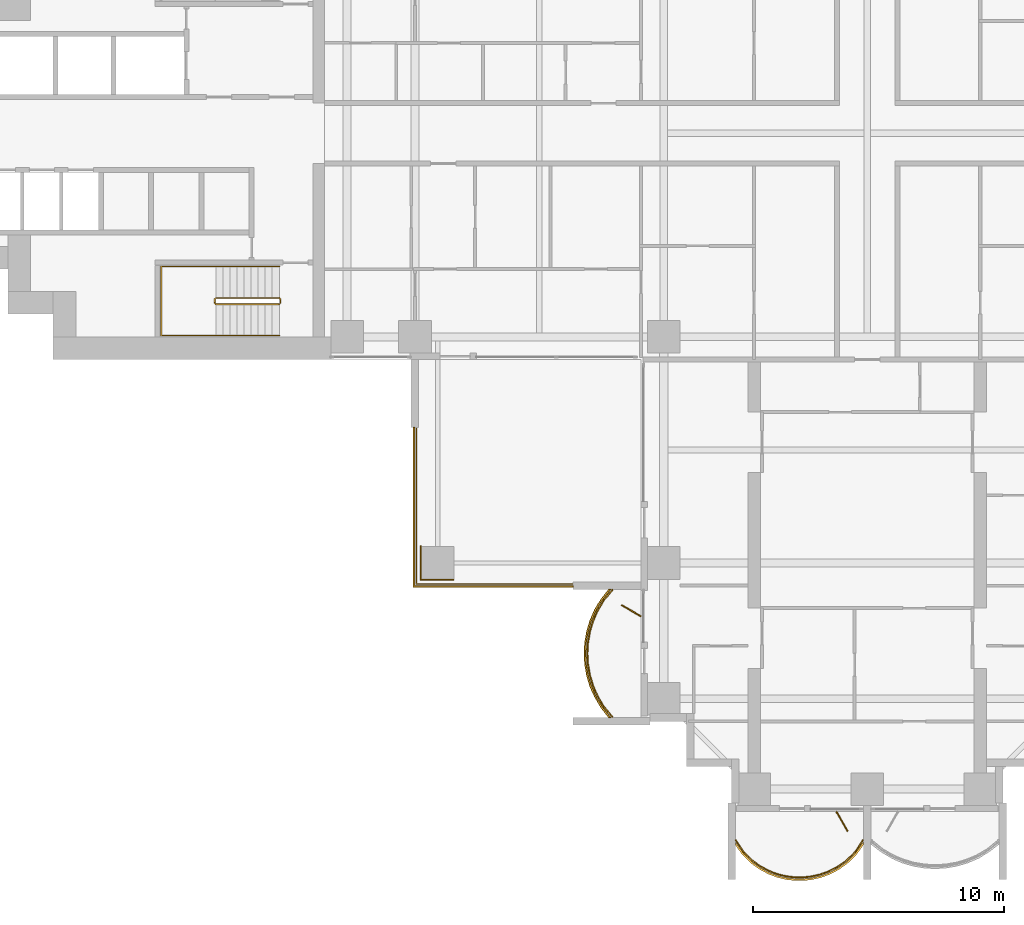
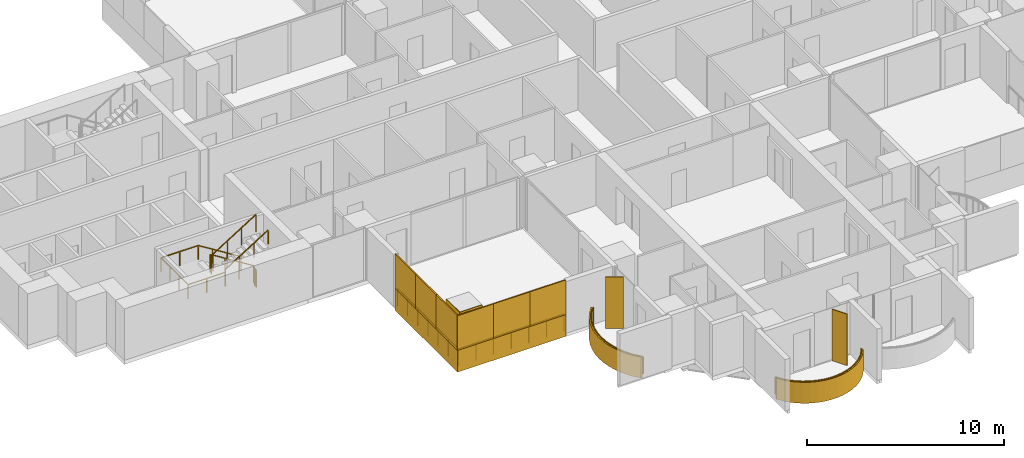
# One storey, part 17 of 21: 11 coverings, 5 railings, 2 shading devices.
"""IFC4 building model written with IfcOpenShell, lengths in metres."""

from ifc_helpers import new_model, si_unit, direction, frame, origin, origin_2d, place, context, subcontext, project, spatial, polyline, rectangle, outline, extrude, material, layer, layer_set, type_object, element, save


model = new_model("IFC4")

# Units and contexts
model_context = context("Model", 3, precision=1e-05, world=origin(), true_north=direction((0.0, 1.0)))
body_context = subcontext(model_context, "Body", "Model", "MODEL_VIEW")
ifc_project = project(units=[si_unit("LENGTHUNIT", "METRE"), si_unit("AREAUNIT", "SQUARE_METRE"), si_unit("VOLUMEUNIT", "CUBIC_METRE"), si_unit("PLANEANGLEUNIT", "RADIAN"), si_unit("MASSUNIT", "GRAM", prefix="KILO")], contexts=[model_context])

# Site, building, storey
site_placement = place(None, origin())
site = spatial("IfcSite", under=ifc_project, at=site_placement, CompositionType="ELEMENT")
building_placement = place(site_placement, origin())
building = spatial("IfcBuilding", under=site, at=building_placement, Name="Perihelion Cross Residences", CompositionType="ELEMENT")
storey_placement = place(building_placement, frame((0.0, 0.0, 89.0)))
storey = spatial("IfcBuildingStorey", under=building, at=storey_placement, Name="L20", CompositionType="ELEMENT", Elevation=89.0)

# Coverings
ifc_material_1 = material(Name="Bronze anodised aluminium", Category="aluminium")
ifc_layer_1 = layer(ifc_material_1, 0.070068359375)
ifc_layer_set_1 = layer_set([ifc_layer_1], Name="Balcony fascia 1300")
covering_type_1 = type_object("IfcCoveringType", Name="Balcony fascia 1300", PredefinedType="CLADDING", material=ifc_layer_set_1)
covering_1_placement = place(storey_placement, frame((0.0, 0.0, -0.199951171875)))
element("IfcCovering", 1, at=covering_1_placement, inside=storey, type_object=covering_type_1, Name="Fascia BF1 L20 south side west bay 2", PredefinedType="CLADDING", context=body_context, shape_type="SweptSolid", body=[
    extrude(outline(polyline([(-10.59765625, -18.53515625), (-10.85498046875, -18.96826171875), (-11.04248046875, -19.401123046875), (-11.170654296875, -19.833984375), (-11.245361328125, -20.26708984375), (-11.27001953125, -20.699951171875), (-11.245361328125, -21.133056640625), (-11.170654296875, -21.56591796875), (-11.04248046875, -21.998779296875), (-10.85498046875, -22.431884765625), (-10.59765625, -22.86474609375), (-10.28955078125, -23.25), (-10.199951171875, -23.25), (-10.5400390625, -22.824951171875), (-10.792724609375, -22.39990234375), (-10.9765625, -21.97509765625), (-11.1025390625, -21.550048828125), (-11.17578125, -21.125), (-11.199951171875, -20.699951171875), (-11.17578125, -20.27490234375), (-11.1025390625, -19.85009765625), (-10.9765625, -19.425048828125), (-10.792724609375, -19.0), (-10.5400390625, -18.574951171875), (-10.199951171875, -18.14990234375), (-10.28955078125, -18.14990234375), (-10.59765625, -18.53515625)])), origin(), (0.0, 0.0, 1.0), 1.300048828125),
])
covering_2_placement = place(storey_placement, frame((0.0, 0.0, -0.199951171875)))
element("IfcCovering", 2, at=covering_2_placement, inside=storey, type_object=covering_type_1, Name="Fascia BF1 L20 south tip south bay 1", PredefinedType="CLADDING", context=body_context, shape_type="SweptSolid", body=[
    extrude(outline(polyline([(-4.963134765625, -28.722412109375), (-4.61474609375, -29.060791015625), (-4.2666015625, -29.308837890625), (-3.91845703125, -29.4912109375), (-3.5703125, -29.620361328125), (-3.22216796875, -29.703369140625), (-2.8740234375, -29.743896484375), (-2.52587890625, -29.743896484375), (-2.177734375, -29.703369140625), (-1.82958984375, -29.620361328125), (-1.4814453125, -29.4912109375), (-1.13330078125, -29.308837890625), (-0.78515625, -29.060791015625), (-0.43701171875, -28.722412109375), (-0.14990234375, -28.320556640625), (-0.14990234375, -28.199951171875), (-0.489990234375, -28.6767578125), (-0.830078125, -29.007080078125), (-1.169921875, -29.2490234375), (-1.510009765625, -29.42724609375), (-1.85009765625, -29.553466796875), (-2.18994140625, -29.63427734375), (-2.530029296875, -29.674072265625), (-2.8701171875, -29.674072265625), (-3.2099609375, -29.63427734375), (-3.550048828125, -29.553466796875), (-3.889892578125, -29.42724609375), (-4.22998046875, -29.2490234375), (-4.570068359375, -29.007080078125), (-4.909912109375, -28.6767578125), (-5.25, -28.199951171875), (-5.25, -28.320556640625), (-4.963134765625, -28.722412109375)])), origin(), (0.0, 0.0, 1.0), 1.300048828125),
])

# Railings
ifc_material_2 = material(Name="Bronze anodised aluminium", Category="aluminium")
railing_type_1 = type_object("IfcRailingType", Name="Balcony guard 1100", PredefinedType="GUARDRAIL", material=ifc_material_2)
railing_1_placement = place(storey_placement, frame((-10.139892578125, -18.175048828125, 0.0)))
element("IfcRailing", 3, at=railing_1_placement, inside=storey, type_object=railing_type_1, Name="Guard GU1 L20 south side west bay 2 balcony", PredefinedType="GUARDRAIL", context=body_context, shape_type="SweptSolid", body=[
    extrude(rectangle(XDim=0.048095703125, YDim=0.048095703125, at=origin_2d()), frame((0.0, 0.0, 1.076171875), z_axis=(-0.647837396648, -0.761778647315, 0.0), x_axis=(0.761778647315, -0.647837396648, 0.0)), (0.0, 0.0, 1.0), 0.52490234375),
    extrude(rectangle(XDim=0.048095703125, YDim=0.048095703125, at=origin_2d()), frame((-0.340087890625, -0.39990234375, 1.076171875), z_axis=(-0.511006381501, -0.859576918062, 0.0), x_axis=(0.859576918062, -0.511006381501, 0.0)), (0.0, 0.0, 1.0), 0.494384765625),
    extrude(rectangle(XDim=0.048095703125, YDim=0.048095703125, at=origin_2d()), frame((-0.5927734375, -0.824951171875, 1.076171875), z_axis=(-0.397415137459, -0.917638931453, 0.0), x_axis=(0.917638931453, -0.397415137459, 0.0)), (0.0, 0.0, 1.0), 0.463134765625),
    extrude(rectangle(XDim=0.048095703125, YDim=0.048095703125, at=origin_2d()), frame((-0.77685546875, -1.25, 1.076171875), z_axis=(-0.283656975924, -0.958925815697, 0.0), x_axis=(0.958925815697, -0.283656975924, 0.0)), (0.0, 0.0, 1.0), 0.443359375),
    extrude(rectangle(XDim=0.048095703125, YDim=0.048095703125, at=origin_2d()), frame((-0.902587890625, -1.675048828125, 1.076171875), z_axis=(-0.170456843651, -0.985365142702, 0.0), x_axis=(0.985365142702, -0.170456843651, 0.0)), (0.0, 0.0, 1.0), 0.43115234375),
    extrude(rectangle(XDim=0.048095703125, YDim=0.048095703125, at=origin_2d()), frame((-0.97607421875, -2.099853515625, 1.076171875), z_axis=(-0.056200523353, -0.9984195016, 0.0), x_axis=(0.9984195016, -0.056200523353, 0.0)), (0.0, 0.0, 1.0), 0.42578125),
    extrude(rectangle(XDim=0.048095703125, YDim=0.048095703125, at=origin_2d()), frame((-1.0, -2.52490234375, 1.076171875), z_axis=(0.056200523353, -0.9984195016, 0.0), x_axis=(0.9984195016, 0.056200523353, 0.0)), (0.0, 0.0, 1.0), 0.42578125),
    extrude(rectangle(XDim=0.048095703125, YDim=0.048095703125, at=origin_2d()), frame((-0.97607421875, -2.949951171875, 1.076171875), z_axis=(0.17036177859, -0.985381583142, 0.0), x_axis=(0.985381583142, 0.17036177859, 0.0)), (0.0, 0.0, 1.0), 0.431396484375),
    extrude(rectangle(XDim=0.048095703125, YDim=0.048095703125, at=origin_2d()), frame((-0.902587890625, -3.375, 1.076171875), z_axis=(0.283656975924, -0.958925815697, 0.0), x_axis=(0.958925815697, 0.283656975924, 0.0)), (0.0, 0.0, 1.0), 0.443359375),
    extrude(rectangle(XDim=0.048095703125, YDim=0.048095703125, at=origin_2d()), frame((-0.77685546875, -3.800048828125, 1.076171875), z_axis=(0.397607437634, -0.91755562531, 0.0), x_axis=(0.91755562531, 0.397607437634, 0.0)), (0.0, 0.0, 1.0), 0.462890625),
    extrude(rectangle(XDim=0.048095703125, YDim=0.048095703125, at=origin_2d()), frame((-0.5927734375, -4.224853515625, 1.076171875), z_axis=(0.511006381501, -0.859576918062, 0.0), x_axis=(0.859576918062, 0.511006381501, 0.0)), (0.0, 0.0, 1.0), 0.494384765625),
    extrude(rectangle(XDim=0.048095703125, YDim=0.048095703125, at=origin_2d()), frame((-0.340087890625, -4.64990234375, 1.076171875), z_axis=(0.647607934281, -0.761973728849, 0.0), x_axis=(0.761973728849, 0.647607934281, 0.0)), (0.0, 0.0, 1.0), 0.525146484375),
    extrude(rectangle(XDim=0.0419921875, YDim=0.0419921875, at=origin_2d()), origin(), (0.0, 0.0, 1.0), 1.052001953125),
    extrude(rectangle(XDim=0.0419921875, YDim=0.0419921875, at=origin_2d()), frame((-0.340087890625, -0.39990234375, 0.0)), (0.0, 0.0, 1.0), 1.052001953125),
    extrude(rectangle(XDim=0.0419921875, YDim=0.0419921875, at=origin_2d()), frame((-0.5927734375, -0.824951171875, 0.0)), (0.0, 0.0, 1.0), 1.052001953125),
    extrude(rectangle(XDim=0.0419921875, YDim=0.0419921875, at=origin_2d()), frame((-0.77685546875, -1.25, 0.0)), (0.0, 0.0, 1.0), 1.052001953125),
    extrude(rectangle(XDim=0.0419921875, YDim=0.0419921875, at=origin_2d()), frame((-0.902587890625, -1.675048828125, 0.0)), (0.0, 0.0, 1.0), 1.052001953125),
    extrude(rectangle(XDim=0.0419921875, YDim=0.0419921875, at=origin_2d()), frame((-0.97607421875, -2.099853515625, 0.0)), (0.0, 0.0, 1.0), 1.052001953125),
    extrude(rectangle(XDim=0.0419921875, YDim=0.0419921875, at=origin_2d()), frame((-1.0, -2.52490234375, 0.0)), (0.0, 0.0, 1.0), 1.052001953125),
    extrude(rectangle(XDim=0.0419921875, YDim=0.0419921875, at=origin_2d()), frame((-0.97607421875, -2.949951171875, 0.0)), (0.0, 0.0, 1.0), 1.052001953125),
    extrude(rectangle(XDim=0.0419921875, YDim=0.0419921875, at=origin_2d()), frame((-0.902587890625, -3.375, 0.0)), (0.0, 0.0, 1.0), 1.052001953125),
    extrude(rectangle(XDim=0.0419921875, YDim=0.0419921875, at=origin_2d()), frame((-0.77685546875, -3.800048828125, 0.0)), (0.0, 0.0, 1.0), 1.052001953125),
    extrude(rectangle(XDim=0.0419921875, YDim=0.0419921875, at=origin_2d()), frame((-0.5927734375, -4.224853515625, 0.0)), (0.0, 0.0, 1.0), 1.052001953125),
    extrude(rectangle(XDim=0.0419921875, YDim=0.0419921875, at=origin_2d()), frame((-0.340087890625, -4.64990234375, 0.0)), (0.0, 0.0, 1.0), 1.052001953125),
    extrude(rectangle(XDim=0.0419921875, YDim=0.0419921875, at=origin_2d()), frame((0.0, -5.050048828125, 0.0)), (0.0, 0.0, 1.0), 1.052001953125),
])
railing_2_placement = place(storey_placement, frame((-5.22509765625, -28.139892578125, 0.0)))
element("IfcRailing", 4, at=railing_2_placement, inside=storey, type_object=railing_type_1, Name="Guard GU1 L20 south tip south bay 1 balcony", PredefinedType="GUARDRAIL", context=body_context, shape_type="SweptSolid", body=[
    extrude(rectangle(XDim=0.048095703125, YDim=0.048095703125, at=origin_2d()), frame((0.0, 0.0, 1.076171875), z_axis=(0.55144309028, -0.834212513801, 0.0), x_axis=(0.834212513801, 0.55144309028, 0.0)), (0.0, 0.0, 1.0), 0.571533203125),
    extrude(rectangle(XDim=0.048095703125, YDim=0.048095703125, at=origin_2d()), frame((0.315185546875, -0.476806640625, 1.076171875), z_axis=(0.717080736691, -0.696990112603, 0.0), x_axis=(0.696990112603, 0.717080736691, 0.0)), (0.0, 0.0, 1.0), 0.473876953125),
    extrude(rectangle(XDim=0.048095703125, YDim=0.048095703125, at=origin_2d()), frame((0.655029296875, -0.80712890625, 1.076171875), z_axis=(0.814562360662, -0.580075995532, 0.0), x_axis=(0.580075995532, 0.814562360662, 0.0)), (0.0, 0.0, 1.0), 0.41748046875),
    extrude(rectangle(XDim=0.048095703125, YDim=0.048095703125, at=origin_2d()), frame((0.9951171875, -1.04931640625, 1.076171875), z_axis=(0.886005761733, -0.463674228502, 0.0), x_axis=(0.463674228502, 0.886005761733, 0.0)), (0.0, 0.0, 1.0), 0.3837890625),
    extrude(rectangle(XDim=0.048095703125, YDim=0.048095703125, at=origin_2d()), frame((1.335205078125, -1.227294921875, 1.076171875), z_axis=(0.937431552165, -0.348169621027, 0.0), x_axis=(0.348169621027, 0.937431552165, 0.0)), (0.0, 0.0, 1.0), 0.362548828125),
    extrude(rectangle(XDim=0.048095703125, YDim=0.048095703125, at=origin_2d()), frame((1.675048828125, -1.353515625, 1.076171875), z_axis=(0.972753741142, -0.231840805498, 0.0), x_axis=(0.231840805498, 0.972753741142, 0.0)), (0.0, 0.0, 1.0), 0.349609375),
    extrude(rectangle(XDim=0.048095703125, YDim=0.048095703125, at=origin_2d()), frame((2.01513671875, -1.4345703125, 1.076171875), z_axis=(0.993295952156, -0.11559909788, 0.0), x_axis=(0.11559909788, 0.993295952156, 0.0)), (0.0, 0.0, 1.0), 0.342041015625),
    extrude(rectangle(XDim=0.048095703125, YDim=0.048095703125, at=origin_2d()), frame((2.35498046875, -1.47412109375, 1.076171875), z_axis=(1.0, 0.0, 0.0), x_axis=(0.0, 1.0, 0.0)), (0.0, 0.0, 1.0), 0.340087890625),
    extrude(rectangle(XDim=0.048095703125, YDim=0.048095703125, at=origin_2d()), frame((2.695068359375, -1.47412109375, 1.076171875), z_axis=(0.993305477634, 0.11551721994, 0.0), x_axis=(-0.11551721994, 0.993305477634, 0.0)), (0.0, 0.0, 1.0), 0.34228515625),
    extrude(rectangle(XDim=0.048095703125, YDim=0.048095703125, at=origin_2d()), frame((3.03515625, -1.4345703125, 1.076171875), z_axis=(0.972716168284, 0.231998396458, 0.0), x_axis=(-0.231998396458, 0.972716168284, 0.0)), (0.0, 0.0, 1.0), 0.349365234375),
    extrude(rectangle(XDim=0.048095703125, YDim=0.048095703125, at=origin_2d()), frame((3.375, -1.353515625, 1.076171875), z_axis=(0.93751311099, 0.347949948587, 0.0), x_axis=(-0.347949948587, 0.93751311099, 0.0)), (0.0, 0.0, 1.0), 0.36279296875),
    extrude(rectangle(XDim=0.048095703125, YDim=0.048095703125, at=origin_2d()), frame((3.715087890625, -1.227294921875, 1.076171875), z_axis=(0.886005761733, 0.463674228502, 0.0), x_axis=(-0.463674228502, 0.886005761733, 0.0)), (0.0, 0.0, 1.0), 0.3837890625),
    extrude(rectangle(XDim=0.048095703125, YDim=0.048095703125, at=origin_2d()), frame((4.05517578125, -1.04931640625, 1.076171875), z_axis=(0.814365457194, 0.580352394782, 0.0), x_axis=(-0.580352394782, 0.814365457194, 0.0)), (0.0, 0.0, 1.0), 0.417236328125),
    extrude(rectangle(XDim=0.048095703125, YDim=0.048095703125, at=origin_2d()), frame((4.39501953125, -0.80712890625, 1.076171875), z_axis=(0.717330852669, 0.69673269466, 0.0), x_axis=(-0.69673269466, 0.717330852669, 0.0)), (0.0, 0.0, 1.0), 0.47412109375),
    extrude(rectangle(XDim=0.048095703125, YDim=0.048095703125, at=origin_2d()), frame((4.735107421875, -0.476806640625, 1.076171875), z_axis=(0.551145731138, 0.834409002258, 0.0), x_axis=(-0.834409002258, 0.551145731138, 0.0)), (0.0, 0.0, 1.0), 0.571533203125),
    extrude(rectangle(XDim=0.0419921875, YDim=0.0419921875, at=origin_2d()), origin(), (0.0, 0.0, 1.0), 1.052001953125),
    extrude(rectangle(XDim=0.0419921875, YDim=0.0419921875, at=origin_2d()), frame((0.315185546875, -0.476806640625, 0.0)), (0.0, 0.0, 1.0), 1.052001953125),
    extrude(rectangle(XDim=0.0419921875, YDim=0.0419921875, at=origin_2d()), frame((0.655029296875, -0.80712890625, 0.0)), (0.0, 0.0, 1.0), 1.052001953125),
    extrude(rectangle(XDim=0.0419921875, YDim=0.0419921875, at=origin_2d()), frame((0.9951171875, -1.04931640625, 0.0)), (0.0, 0.0, 1.0), 1.052001953125),
    extrude(rectangle(XDim=0.0419921875, YDim=0.0419921875, at=origin_2d()), frame((1.335205078125, -1.227294921875, 0.0)), (0.0, 0.0, 1.0), 1.052001953125),
    extrude(rectangle(XDim=0.0419921875, YDim=0.0419921875, at=origin_2d()), frame((1.675048828125, -1.353515625, 0.0)), (0.0, 0.0, 1.0), 1.052001953125),
    extrude(rectangle(XDim=0.0419921875, YDim=0.0419921875, at=origin_2d()), frame((2.01513671875, -1.4345703125, 0.0)), (0.0, 0.0, 1.0), 1.052001953125),
    extrude(rectangle(XDim=0.0419921875, YDim=0.0419921875, at=origin_2d()), frame((2.35498046875, -1.47412109375, 0.0)), (0.0, 0.0, 1.0), 1.052001953125),
    extrude(rectangle(XDim=0.0419921875, YDim=0.0419921875, at=origin_2d()), frame((2.695068359375, -1.47412109375, 0.0)), (0.0, 0.0, 1.0), 1.052001953125),
    extrude(rectangle(XDim=0.0419921875, YDim=0.0419921875, at=origin_2d()), frame((3.03515625, -1.4345703125, 0.0)), (0.0, 0.0, 1.0), 1.052001953125),
    extrude(rectangle(XDim=0.0419921875, YDim=0.0419921875, at=origin_2d()), frame((3.375, -1.353515625, 0.0)), (0.0, 0.0, 1.0), 1.052001953125),
    extrude(rectangle(XDim=0.0419921875, YDim=0.0419921875, at=origin_2d()), frame((3.715087890625, -1.227294921875, 0.0)), (0.0, 0.0, 1.0), 1.052001953125),
    extrude(rectangle(XDim=0.0419921875, YDim=0.0419921875, at=origin_2d()), frame((4.05517578125, -1.04931640625, 0.0)), (0.0, 0.0, 1.0), 1.052001953125),
    extrude(rectangle(XDim=0.0419921875, YDim=0.0419921875, at=origin_2d()), frame((4.39501953125, -0.80712890625, 0.0)), (0.0, 0.0, 1.0), 1.052001953125),
    extrude(rectangle(XDim=0.0419921875, YDim=0.0419921875, at=origin_2d()), frame((4.735107421875, -0.476806640625, 0.0)), (0.0, 0.0, 1.0), 1.052001953125),
    extrude(rectangle(XDim=0.0419921875, YDim=0.0419921875, at=origin_2d()), frame((5.050048828125, 0.0, 0.0)), (0.0, 0.0, 1.0), 1.052001953125),
])
railing_3_placement = place(storey_placement, frame((-11.739990234375, -17.93994140625, 0.0)))
element("IfcRailing", 5, at=railing_3_placement, inside=storey, type_object=railing_type_1, Name="Guard GU1 L20 pocket south-west 1", PredefinedType="GUARDRAIL", context=body_context, shape_type="SweptSolid", body=[
    extrude(rectangle(XDim=0.048095703125, YDim=0.048095703125, at=origin_2d()), frame((0.0, 0.0, 1.076171875), z_axis=(-1.0, 0.0, 0.0), x_axis=(0.0, -1.0, 0.0)), (0.0, 0.0, 1.0), 6.199951171875),
    extrude(rectangle(XDim=0.048095703125, YDim=0.048095703125, at=origin_2d()), frame((-6.199951171875, 0.0, 1.076171875), z_axis=(0.0, 1.0, 0.0), x_axis=(-1.0, 0.0, 0.0)), (0.0, 0.0, 1.0), 6.199951171875),
    extrude(rectangle(XDim=0.0419921875, YDim=0.0419921875, at=origin_2d()), origin(), (0.0, 0.0, 1.0), 1.052001953125),
    extrude(rectangle(XDim=0.0419921875, YDim=0.0419921875, at=origin_2d()), frame((-1.033203125, 0.0, 0.0)), (0.0, 0.0, 1.0), 1.052001953125),
    extrude(rectangle(XDim=0.0419921875, YDim=0.0419921875, at=origin_2d()), frame((-2.066650390625, 0.0, 0.0)), (0.0, 0.0, 1.0), 1.052001953125),
    extrude(rectangle(XDim=0.0419921875, YDim=0.0419921875, at=origin_2d()), frame((-3.10009765625, 0.0, 0.0)), (0.0, 0.0, 1.0), 1.052001953125),
    extrude(rectangle(XDim=0.0419921875, YDim=0.0419921875, at=origin_2d()), frame((-4.13330078125, 0.0, 0.0)), (0.0, 0.0, 1.0), 1.052001953125),
    extrude(rectangle(XDim=0.0419921875, YDim=0.0419921875, at=origin_2d()), frame((-5.16650390625, 0.0, 0.0)), (0.0, 0.0, 1.0), 1.052001953125),
    extrude(rectangle(XDim=0.0419921875, YDim=0.0419921875, at=origin_2d()), frame((-6.199951171875, 0.0, 0.0)), (0.0, 0.0, 1.0), 1.052001953125),
    extrude(rectangle(XDim=0.0419921875, YDim=0.0419921875, at=origin_2d()), frame((-6.199951171875, 1.033203125, 0.0)), (0.0, 0.0, 1.0), 1.052001953125),
    extrude(rectangle(XDim=0.0419921875, YDim=0.0419921875, at=origin_2d()), frame((-6.199951171875, 2.066650390625, 0.0)), (0.0, 0.0, 1.0), 1.052001953125),
    extrude(rectangle(XDim=0.0419921875, YDim=0.0419921875, at=origin_2d()), frame((-6.199951171875, 3.10009765625, 0.0)), (0.0, 0.0, 1.0), 1.052001953125),
    extrude(rectangle(XDim=0.0419921875, YDim=0.0419921875, at=origin_2d()), frame((-6.199951171875, 4.13330078125, 0.0)), (0.0, 0.0, 1.0), 1.052001953125),
    extrude(rectangle(XDim=0.0419921875, YDim=0.0419921875, at=origin_2d()), frame((-6.199951171875, 5.16650390625, 0.0)), (0.0, 0.0, 1.0), 1.052001953125),
    extrude(rectangle(XDim=0.0419921875, YDim=0.0419921875, at=origin_2d()), frame((-6.199951171875, 6.199951171875, 0.0)), (0.0, 0.0, 1.0), 1.052001953125),
])

# Coverings
ifc_material_3 = material(Name="Bronze anodised aluminium", Category="aluminium")
ifc_layer_2 = layer(ifc_material_3, 0.0400390625)
ifc_layer_set_2 = layer_set([ifc_layer_2], Name="Bronze column casing 40")
covering_type_2 = type_object("IfcCoveringType", Name="Bronze column casing 40", PredefinedType="CLADDING", material=ifc_layer_set_2)
covering_3_placement = place(storey_placement, frame((-17.77001953125, -17.10009765625, -0.25), z_axis=(0.0, 0.0, 1.0), x_axis=(1.0, 0.0, 0.0)))
element("IfcCovering", 6, at=covering_3_placement, inside=storey, type_object=covering_type_2, Name="Cladding CC1 L20 casing east-west no. 1", PredefinedType="CLADDING", context=body_context, shape_type="SweptSolid", body=[
    extrude(rectangle(XDim=0.0400390625, YDim=1.3798828125, at=origin_2d()), origin(), (0.0, 0.0, 1.0), 3.449951171875),
])
covering_4_placement = place(storey_placement, frame((-17.10009765625, -17.77001953125, -0.25), z_axis=(0.0, 0.0, 1.0), x_axis=(1.0, 0.0, 0.0)))
element("IfcCovering", 7, at=covering_4_placement, inside=storey, type_object=covering_type_2, Name="Cladding CC1 L20 casing north-south no. 1", PredefinedType="CLADDING", context=body_context, shape_type="SweptSolid", body=[
    extrude(rectangle(XDim=1.300048828125, YDim=0.0400390625, at=origin_2d()), origin(), (0.0, 0.0, 1.0), 3.449951171875),
])

# Shading devices
ifc_material_4 = material(Name="Bronze anodised aluminium", Category="aluminium")
ifc_layer_3 = layer(ifc_material_4, 0.050048828125)
ifc_layer_set_3 = layer_set([ifc_layer_3], Name="Bronze fin 900")
shading_device_type = type_object("IfcShadingDeviceType", Name="Bronze fin 900", PredefinedType="USERDEFINED", material=ifc_layer_set_3)
for number, where, z_axis, x_axis, name in (
    (8, (-9.3896484375, -19.0, 0.0), (0.0, 0.0, 1.0), (-0.866025403784, 0.5, 0.0), "Fin FN1 L20 south side west bay 2"),
    (9, (-1.0, -27.3896484375, 0.0), (0.0, 0.0, 1.0), (0.5, -0.866025403784, 0.0), "Fin FN1 L20 south tip south bay 1"),
):
    element("IfcShadingDevice", number, at=place(storey_placement, frame(where, z_axis=z_axis, x_axis=x_axis)), inside=storey, type_object=shading_device_type, Name=name, ObjectType="FIN", PredefinedType="USERDEFINED", context=body_context, shape_type="SweptSolid", body=[
        extrude(rectangle(XDim=0.89990234375, YDim=0.050048828125, at=origin_2d()), origin(), (0.0, 0.0, 1.0), 3.199951171875),
    ])

# Coverings
ifc_material_5 = material(Name="Bronze anodised aluminium", Category="aluminium")
ifc_layer_4 = layer(ifc_material_5, 0.070068359375)
ifc_layer_set_4 = layer_set([ifc_layer_4], Name="Pocket fascia 1350")
covering_type_3 = type_object("IfcCoveringType", Name="Pocket fascia 1350", PredefinedType="CLADDING", material=ifc_layer_set_4)
covering_5_placement = place(storey_placement, frame((0.0, 0.0, -0.25)))
element("IfcCovering", 10, at=covering_5_placement, inside=storey, type_object=covering_type_3, Name="Fascia BF2 L20 pocket south-west 1", PredefinedType="CLADDING", context=body_context, shape_type="SweptSolid", body=[
    extrude(outline(polyline([(-18.070068359375, -11.699951171875), (-18.070068359375, -18.070068359375), (-11.699951171875, -18.070068359375), (-11.699951171875, -18.0), (-18.0, -18.0), (-18.0, -11.699951171875), (-18.070068359375, -11.699951171875)])), origin(), (0.0, 0.0, 1.0), 1.35009765625),
])
ifc_material_6 = material(Name="Bronze perforated aluminium", Category="aluminium")
ifc_layer_5 = layer(ifc_material_6, 0.070068359375)
ifc_layer_set_5 = layer_set([ifc_layer_5], Name="Pocket solar screen, bronze perforated")
covering_type_4 = type_object("IfcCoveringType", Name="Pocket solar screen, bronze perforated", PredefinedType="CLADDING", material=ifc_layer_set_5)
covering_6_placement = place(storey_placement, frame((0.0, 0.0, 1.10009765625)))
element("IfcCovering", 11, at=covering_6_placement, inside=storey, type_object=covering_type_4, Name="Solar screen PS1 L20 pocket south-west no. 1", PredefinedType="CLADDING", context=body_context, shape_type="SweptSolid", body=[
    extrude(outline(polyline([(-18.0, -18.0), (-18.0, -15.89990234375), (-18.070068359375, -15.89990234375), (-18.070068359375, -18.0), (-18.0, -18.0)])), origin(), (0.0, 0.0, 1.0), 2.14990234375),
])
covering_7_placement = place(storey_placement, frame((0.0, 0.0, 1.10009765625)))
element("IfcCovering", 12, at=covering_7_placement, inside=storey, type_object=covering_type_4, Name="Solar screen PS1 L20 pocket south-west no. 2", PredefinedType="CLADDING", context=body_context, shape_type="SweptSolid", body=[
    extrude(outline(polyline([(-18.0, -15.89990234375), (-18.0, -13.800048828125), (-18.070068359375, -13.800048828125), (-18.070068359375, -15.89990234375), (-18.0, -15.89990234375)])), origin(), (0.0, 0.0, 1.0), 2.14990234375),
])
covering_8_placement = place(storey_placement, frame((0.0, 0.0, 1.10009765625)))
element("IfcCovering", 13, at=covering_8_placement, inside=storey, type_object=covering_type_4, Name="Solar screen PS1 L20 pocket south-west no. 3", PredefinedType="CLADDING", context=body_context, shape_type="SweptSolid", body=[
    extrude(outline(polyline([(-18.0, -13.800048828125), (-18.0, -11.699951171875), (-18.070068359375, -11.699951171875), (-18.070068359375, -13.800048828125), (-18.0, -13.800048828125)])), origin(), (0.0, 0.0, 1.0), 2.14990234375),
])
covering_9_placement = place(storey_placement, frame((0.0, 0.0, 1.10009765625)))
element("IfcCovering", 14, at=covering_9_placement, inside=storey, type_object=covering_type_4, Name="Solar screen PS1 L20 pocket south-west no. 4", PredefinedType="CLADDING", context=body_context, shape_type="SweptSolid", body=[
    extrude(outline(polyline([(-15.94677734375, -18.070068359375), (-15.94677734375, -18.0), (-18.070068359375, -18.0), (-18.070068359375, -18.070068359375), (-15.94677734375, -18.070068359375)])), origin(), (0.0, 0.0, 1.0), 2.14990234375),
])
covering_10_placement = place(storey_placement, frame((0.0, 0.0, 1.10009765625)))
element("IfcCovering", 15, at=covering_10_placement, inside=storey, type_object=covering_type_4, Name="Solar screen PS1 L20 pocket south-west no. 5", PredefinedType="CLADDING", context=body_context, shape_type="SweptSolid", body=[
    extrude(outline(polyline([(-13.8232421875, -18.070068359375), (-13.8232421875, -18.0), (-15.94677734375, -18.0), (-15.94677734375, -18.070068359375), (-13.8232421875, -18.070068359375)])), origin(), (0.0, 0.0, 1.0), 2.14990234375),
])
covering_11_placement = place(storey_placement, frame((0.0, 0.0, 1.10009765625)))
element("IfcCovering", 16, at=covering_11_placement, inside=storey, type_object=covering_type_4, Name="Solar screen PS1 L20 pocket south-west no. 6", PredefinedType="CLADDING", context=body_context, shape_type="SweptSolid", body=[
    extrude(outline(polyline([(-11.699951171875, -18.070068359375), (-11.699951171875, -18.0), (-13.8232421875, -18.0), (-13.8232421875, -18.070068359375), (-11.699951171875, -18.070068359375)])), origin(), (0.0, 0.0, 1.0), 2.14990234375),
])

# Railings
ifc_material_7 = material(Name="Stainless steel", Category="steel")
railing_type_2 = type_object("IfcRailingType", Name="Stair guard 1100", PredefinedType="GUARDRAIL", material=ifc_material_7)
railing_4_placement = place(storey_placement, frame((-23.35009765625, -6.75, 0.0)))
element("IfcRailing", 17, at=railing_4_placement, inside=storey, type_object=railing_type_2, Name="L20 ST-W2 stair guard 1", PredefinedType="GUARDRAIL", context=body_context, shape_type="SweptSolid", body=[
    extrude(rectangle(XDim=0.048095703125, YDim=0.048095703125, at=origin_2d()), frame((0.0, 0.0, 1.076171875), z_axis=(0.0, 1.0, 0.0), x_axis=(-1.0, 0.0, 0.0)), (0.0, 0.0, 1.0), 0.14990234375),
    extrude(rectangle(XDim=0.048095703125, YDim=0.048095703125, at=origin_2d()), frame((0.0, 0.14990234375, 1.076171875), z_axis=(-0.263862480399, 0.265155923931, 0.927399011991), x_axis=(-0.708833529934, -0.705375805398, 0.0)), (0.0, 0.0, 1.0), 0.188720703125),
    extrude(rectangle(XDim=0.048095703125, YDim=0.048095703125, at=origin_2d()), frame((-0.0498046875, 0.199951171875, 1.2509765625), z_axis=(-0.848007534815, 0.0, 0.529984170421), x_axis=(0.0, -1.0, 0.0)), (0.0, 0.0, 1.0), 2.9716796875),
    extrude(rectangle(XDim=0.048095703125, YDim=0.048095703125, at=origin_2d()), frame((-2.56982421875, 0.199951171875, 2.826171875), z_axis=(-0.707106781187, -0.707106781187, 0.0), x_axis=(0.707106781187, -0.707106781187, 0.0)), (0.0, 0.0, 1.0), 0.07080078125),
    extrude(rectangle(XDim=0.048095703125, YDim=0.048095703125, at=origin_2d()), frame((-2.619873046875, 0.14990234375, 2.826171875), z_axis=(0.0, -1.0, 0.0), x_axis=(1.0, 0.0, 0.0)), (0.0, 0.0, 1.0), 0.14990234375),
    extrude(rectangle(XDim=0.048095703125, YDim=0.048095703125, at=origin_2d()), frame((-2.619873046875, 0.0, 2.826171875), z_axis=(0.265065253269, -0.265065253269, 0.927081885822), x_axis=(0.707106781187, 0.707106781187, 0.0)), (0.0, 0.0, 1.0), 0.188720703125),
    extrude(rectangle(XDim=0.048095703125, YDim=0.048095703125, at=origin_2d()), frame((-2.56982421875, -0.050048828125, 3.0009765625), z_axis=(0.848007534815, 0.0, 0.529984170421), x_axis=(0.0, 1.0, 0.0)), (0.0, 0.0, 1.0), 2.9716796875),
    extrude(rectangle(XDim=0.0419921875, YDim=0.0419921875, at=origin_2d()), origin(), (0.0, 0.0, 1.0), 1.052001953125),
    extrude(rectangle(XDim=0.0419921875, YDim=0.0419921875, at=origin_2d()), frame((0.0, 0.14990234375, 0.0)), (0.0, 0.0, 1.0), 1.052001953125),
    extrude(rectangle(XDim=0.0419921875, YDim=0.0419921875, at=origin_2d()), frame((-0.0498046875, 0.199951171875, 0.175048828125)), (0.0, 0.0, 1.0), 1.052001953125),
    extrude(rectangle(XDim=0.0419921875, YDim=0.0419921875, at=origin_2d()), frame((-0.889892578125, 0.199951171875, 0.699951171875)), (0.0, 0.0, 1.0), 1.052001953125),
    extrude(rectangle(XDim=0.0419921875, YDim=0.0419921875, at=origin_2d()), frame((-1.729736328125, 0.199951171875, 1.22509765625)), (0.0, 0.0, 1.0), 1.052001953125),
    extrude(rectangle(XDim=0.0419921875, YDim=0.0419921875, at=origin_2d()), frame((-2.56982421875, 0.199951171875, 1.75)), (0.0, 0.0, 1.0), 1.052001953125),
    extrude(rectangle(XDim=0.0419921875, YDim=0.0419921875, at=origin_2d()), frame((-2.619873046875, 0.14990234375, 1.75)), (0.0, 0.0, 1.0), 1.052001953125),
    extrude(rectangle(XDim=0.0419921875, YDim=0.0419921875, at=origin_2d()), frame((-2.619873046875, 0.0, 1.75)), (0.0, 0.0, 1.0), 1.052001953125),
    extrude(rectangle(XDim=0.0419921875, YDim=0.0419921875, at=origin_2d()), frame((-2.56982421875, -0.050048828125, 1.925048828125)), (0.0, 0.0, 1.0), 1.052001953125),
    extrude(rectangle(XDim=0.0419921875, YDim=0.0419921875, at=origin_2d()), frame((-1.729736328125, -0.050048828125, 2.449951171875)), (0.0, 0.0, 1.0), 1.052001953125),
    extrude(rectangle(XDim=0.0419921875, YDim=0.0419921875, at=origin_2d()), frame((-0.889892578125, -0.050048828125, 2.97509765625)), (0.0, 0.0, 1.0), 1.052001953125),
    extrude(rectangle(XDim=0.0419921875, YDim=0.0419921875, at=origin_2d()), frame((-0.0498046875, -0.050048828125, 3.5)), (0.0, 0.0, 1.0), 1.052001953125),
])
ifc_material_8 = material(Name="Stainless steel", Category="steel")
railing_type_3 = type_object("IfcRailingType", Name="Stair handrail 900", PredefinedType="HANDRAIL", material=ifc_material_8)
railing_5_placement = place(storey_placement, frame((-23.39990234375, -5.300048828125, 0.175048828125)))
element("IfcRailing", 18, at=railing_5_placement, inside=storey, type_object=railing_type_3, Name="L20 ST-W2 stair handrail 1", PredefinedType="HANDRAIL", context=body_context, shape_type="SweptSolid", body=[
    extrude(rectangle(XDim=0.048095703125, YDim=0.048095703125, at=origin_2d()), frame((0.0, 0.0, 0.8759765625), z_axis=(-0.848007534815, 0.0, 0.529984170421), x_axis=(0.0, -1.0, 0.0)), (0.0, 0.0, 1.0), 2.9716796875),
    extrude(rectangle(XDim=0.048095703125, YDim=0.048095703125, at=origin_2d()), frame((-2.52001953125, 0.0, 2.45068359375), z_axis=(-1.0, 0.0, 0.0), x_axis=(0.0, -1.0, 0.0)), (0.0, 0.0, 1.0), 2.18017578125),
    extrude(rectangle(XDim=0.048095703125, YDim=0.048095703125, at=origin_2d()), frame((-4.7001953125, 0.0, 2.45068359375), z_axis=(0.0, -1.0, 0.0), x_axis=(1.0, 0.0, 0.0)), (0.0, 0.0, 1.0), 2.75),
    extrude(rectangle(XDim=0.048095703125, YDim=0.048095703125, at=origin_2d()), frame((-4.7001953125, -2.75, 2.45068359375), z_axis=(1.0, 0.0, 0.0), x_axis=(0.0, 1.0, 0.0)), (0.0, 0.0, 1.0), 2.18017578125),
    extrude(rectangle(XDim=0.048095703125, YDim=0.048095703125, at=origin_2d()), frame((-2.52001953125, -2.75, 2.45068359375), z_axis=(0.0, 0.0, 1.0), x_axis=(1.0, 0.0, 0.0)), (0.0, 0.0, 1.0), 0.175048828125),
    extrude(rectangle(XDim=0.048095703125, YDim=0.048095703125, at=origin_2d()), frame((-2.52001953125, -2.75, 2.6259765625), z_axis=(0.848007534815, 0.0, 0.529984170421), x_axis=(0.0, 1.0, 0.0)), (0.0, 0.0, 1.0), 2.9716796875),
    extrude(rectangle(XDim=0.0419921875, YDim=0.0419921875, at=origin_2d()), origin(), (0.0, 0.0, 1.0), 0.851806640625),
    extrude(rectangle(XDim=0.0419921875, YDim=0.0419921875, at=origin_2d()), frame((-0.840087890625, 0.0, 0.52490234375)), (0.0, 0.0, 1.0), 0.851806640625),
    extrude(rectangle(XDim=0.0419921875, YDim=0.0419921875, at=origin_2d()), frame((-1.679931640625, 0.0, 1.050048828125)), (0.0, 0.0, 1.0), 0.851806640625),
    extrude(rectangle(XDim=0.0419921875, YDim=0.0419921875, at=origin_2d()), frame((-2.52001953125, 0.0, 1.574951171875)), (0.0, 0.0, 1.0), 0.851806640625),
    extrude(rectangle(XDim=0.0419921875, YDim=0.0419921875, at=origin_2d()), frame((-3.610107421875, 0.0, 1.574951171875)), (0.0, 0.0, 1.0), 0.851806640625),
    extrude(rectangle(XDim=0.0419921875, YDim=0.0419921875, at=origin_2d()), frame((-4.7001953125, 0.0, 1.574951171875)), (0.0, 0.0, 1.0), 0.851806640625),
    extrude(rectangle(XDim=0.0419921875, YDim=0.0419921875, at=origin_2d()), frame((-4.7001953125, -0.916748046875, 1.574951171875)), (0.0, 0.0, 1.0), 0.851806640625),
    extrude(rectangle(XDim=0.0419921875, YDim=0.0419921875, at=origin_2d()), frame((-4.7001953125, -1.833251953125, 1.574951171875)), (0.0, 0.0, 1.0), 0.851806640625),
    extrude(rectangle(XDim=0.0419921875, YDim=0.0419921875, at=origin_2d()), frame((-4.7001953125, -2.75, 1.574951171875)), (0.0, 0.0, 1.0), 0.851806640625),
    extrude(rectangle(XDim=0.0419921875, YDim=0.0419921875, at=origin_2d()), frame((-3.610107421875, -2.75, 1.574951171875)), (0.0, 0.0, 1.0), 0.851806640625),
    extrude(rectangle(XDim=0.0419921875, YDim=0.0419921875, at=origin_2d()), frame((-2.52001953125, -2.75, 1.574951171875)), (0.0, 0.0, 1.0), 0.851806640625),
    extrude(rectangle(XDim=0.0419921875, YDim=0.0419921875, at=origin_2d()), frame((-2.52001953125, -2.75, 1.75)), (0.0, 0.0, 1.0), 0.851806640625),
    extrude(rectangle(XDim=0.0419921875, YDim=0.0419921875, at=origin_2d()), frame((-1.679931640625, -2.75, 2.27490234375)), (0.0, 0.0, 1.0), 0.851806640625),
    extrude(rectangle(XDim=0.0419921875, YDim=0.0419921875, at=origin_2d()), frame((-0.840087890625, -2.75, 2.800048828125)), (0.0, 0.0, 1.0), 0.851806640625),
    extrude(rectangle(XDim=0.0419921875, YDim=0.0419921875, at=origin_2d()), frame((0.0, -2.75, 3.324951171875)), (0.0, 0.0, 1.0), 0.851806640625),
])

save(model, "model.ifc")
